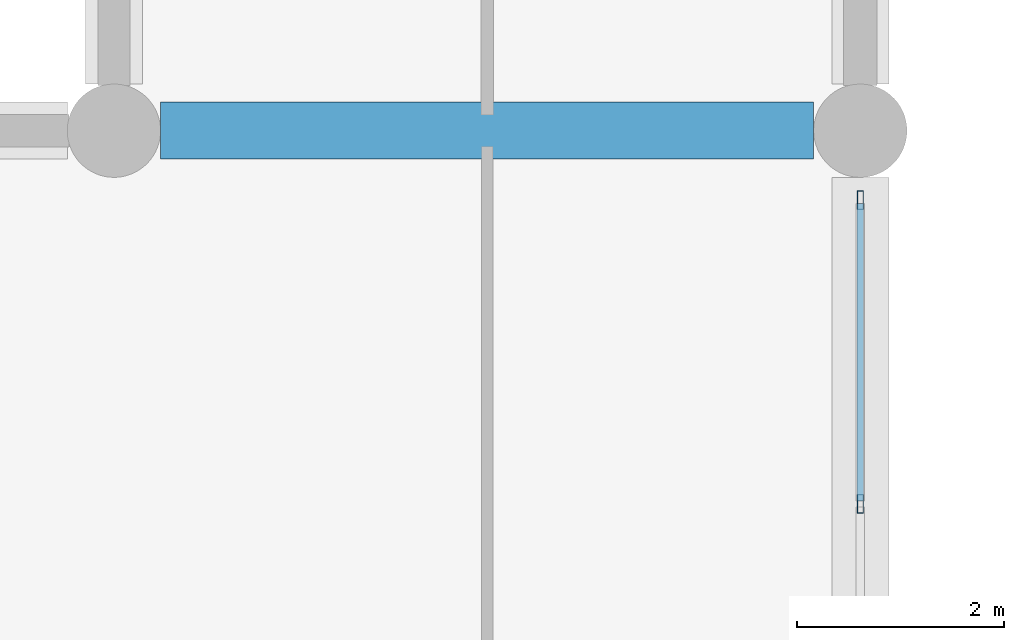
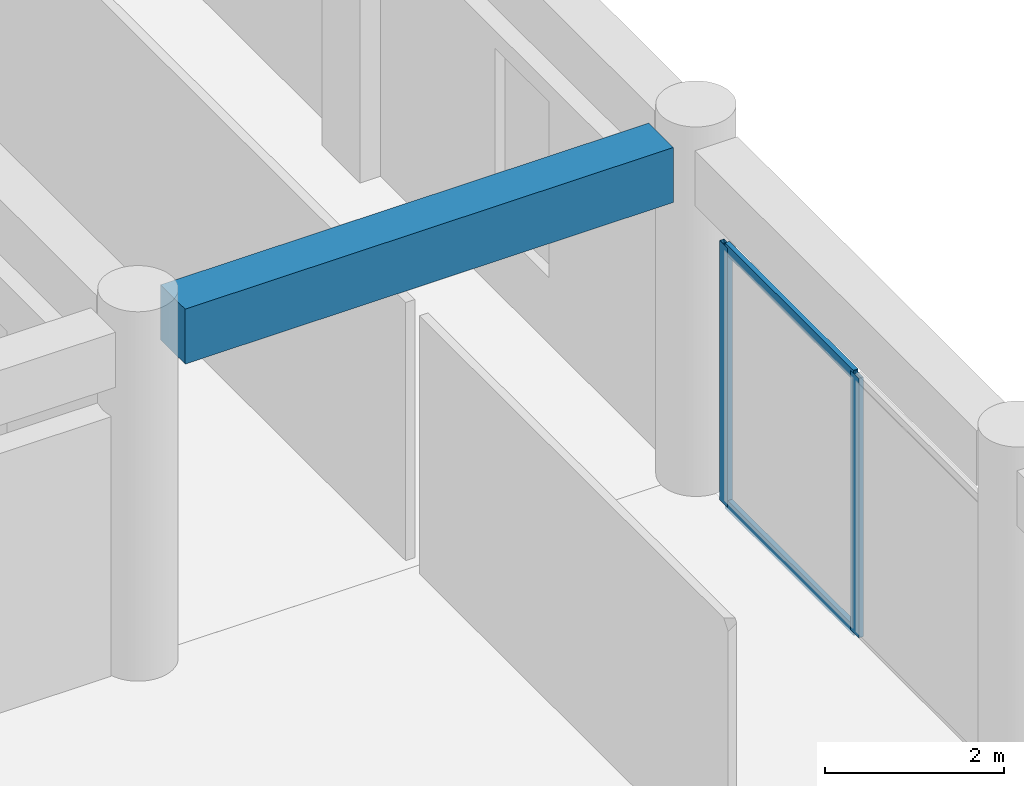
# One storey, part 25 of 54: 4 members, 1 beam, 1 element without a shape of its own.
"""IFC4 building model written with IfcOpenShell, lengths in metres."""

from ifc_helpers import new_model, si_unit, direction, frame, origin, origin_2d, place, context, subcontext, project, spatial, rectangle, hollow_rectangle, extrude, material, material_profile, profile_set, type_object, element, aggregate, save


model = new_model("IFC4")

# Units and contexts
model_context = context("Model", 3, precision=1e-05, world=origin(), true_north=direction((0.0, 1.0)))
body_context = subcontext(model_context, "Body", "Model", "MODEL_VIEW")
ifc_project = project(units=[si_unit("LENGTHUNIT", "METRE"), si_unit("AREAUNIT", "SQUARE_METRE"), si_unit("VOLUMEUNIT", "CUBIC_METRE"), si_unit("PLANEANGLEUNIT", "RADIAN"), si_unit("MASSUNIT", "GRAM", prefix="KILO")], contexts=[model_context])

# Site, building, storey
site_placement = place(None, origin())
site = spatial("IfcSite", under=ifc_project, at=site_placement, CompositionType="ELEMENT")
building_placement = place(site_placement, origin())
building = spatial("IfcBuilding", under=site, at=building_placement, Name="Kazehaya Institute of Natural Sciences", CompositionType="ELEMENT")
storey_placement = place(building_placement, frame((0.0, 0.0, 5.39990234375)))
storey = spatial("IfcBuildingStorey", under=building, at=storey_placement, Name="L01", CompositionType="ELEMENT", Elevation=5.39990234375)

# Beam
ifc_material_1 = material(Name="Concrete Fc36", Category="concrete")
ifc_material_profile_1 = material_profile(ifc_material_1, rectangle(XDim=0.550048828125, YDim=0.75, at=origin_2d()), Name="RC-550x750")
ifc_profile_set_1 = profile_set([ifc_material_profile_1], Name="Concrete Fc36")
beam_type = type_object("IfcBeamType", Name="BM-G-550x750", PredefinedType="BEAM", material=ifc_profile_set_1)
beam_placement = place(storey_placement, frame((105.449951171875, 64.39990234375, 4.39501953125), z_axis=(1.0, 0.0, 0.0), x_axis=(0.0, 1.0, 0.0)))
element("IfcBeam", 1, at=beam_placement, inside=storey, type_object=beam_type, Name="L01 primary X girder BMX-L01-1050-644", PredefinedType="BEAM", context=body_context, shape_type="SweptSolid", body=[
    extrude(rectangle(XDim=0.550048828125, YDim=0.75, at=origin_2d()), origin(), (0.0, 0.0, 1.0), 6.300048828125),
])

# Curtain wall, members
ifc_material_2 = material(Name="Aluminium alloy A6063S-T5", Category="aluminium")
curtain_wall_type = type_object("IfcCurtainWallType", Name="CW-SYS-02", PredefinedType="NOTDEFINED", material=ifc_material_2)
curtain_wall_placement = place(storey_placement, origin())
curtain_wall = element("IfcCurtainWall", 2, at=curtain_wall_placement, inside=storey, type_object=curtain_wall_type, Name="L01 unitised curtain wall CW-L01-022", PredefinedType="NOTDEFINED")
ifc_material_profile_2 = material_profile(ifc_material_2, hollow_rectangle(XDim=0.06005859375, YDim=0.179931640625, WallThickness=0.00390625, at=origin_2d()), Name="ALU-60x180x4")
ifc_profile_set_2 = profile_set([ifc_material_profile_2], Name="Aluminium alloy A6063S-T5")
member_type_1 = type_object("IfcMemberType", Name="CWM-180", PredefinedType="MULLION", material=ifc_profile_set_2)
member_1_placement = place(storey_placement, frame((112.199951171875, 63.72998046875, 0.0), z_axis=(0.0, 0.0, 1.0), x_axis=(1.0, 0.0, 0.0)))
member_1 = element("IfcMember", 3, at=member_1_placement, type_object=member_type_1, Name="CW02 mullion 1", PredefinedType="MULLION", context=body_context, shape_type="SweptSolid", body=[
    extrude(hollow_rectangle(XDim=0.06005859375, YDim=0.179931640625, WallThickness=0.00390625, at=origin_2d()), origin(), (0.0, 0.0, 1.0), 3.5400390625),
])
member_2_placement = place(storey_placement, frame((112.199951171875, 60.800048828125, 0.0), z_axis=(0.0, 0.0, 1.0), x_axis=(1.0, 0.0, 0.0)))
member_2 = element("IfcMember", 4, at=member_2_placement, type_object=member_type_1, Name="CW02 mullion 2", PredefinedType="MULLION", context=body_context, shape_type="SweptSolid", body=[
    extrude(hollow_rectangle(XDim=0.06005859375, YDim=0.179931640625, WallThickness=0.00390625, at=origin_2d()), origin(), (0.0, 0.0, 1.0), 3.5400390625),
])
ifc_material_profile_3 = material_profile(ifc_material_2, hollow_rectangle(XDim=0.06005859375, YDim=0.139892578125, WallThickness=0.00341796875, at=origin_2d()), Name="ALU-60x140x3.5")
ifc_profile_set_3 = profile_set([ifc_material_profile_3], Name="Aluminium alloy A6063S-T5")
member_type_2 = type_object("IfcMemberType", Name="CWT-140", PredefinedType="USERDEFINED", material=ifc_profile_set_3)
member_3_placement = place(storey_placement, frame((112.199951171875, 63.699951171875, 0.030029296875), z_axis=(0.0, -1.0, 0.0), x_axis=(1.0, 0.0, 0.0)))
member_3 = element("IfcMember", 5, at=member_3_placement, type_object=member_type_2, Name="CW02 transom 1.1", ObjectType="TRANSOM", PredefinedType="USERDEFINED", context=body_context, shape_type="SweptSolid", body=[
    extrude(hollow_rectangle(XDim=0.06005859375, YDim=0.139892578125, WallThickness=0.00341796875, at=origin_2d()), origin(), (0.0, 0.0, 1.0), 2.869873046875),
])
member_4_placement = place(storey_placement, frame((112.199951171875, 63.699951171875, 3.510009765625), z_axis=(0.0, -1.0, 0.0), x_axis=(1.0, 0.0, 0.0)))
member_4 = element("IfcMember", 6, at=member_4_placement, type_object=member_type_2, Name="CW02 transom 1.2", ObjectType="TRANSOM", PredefinedType="USERDEFINED", context=body_context, shape_type="SweptSolid", body=[
    extrude(hollow_rectangle(XDim=0.06005859375, YDim=0.139892578125, WallThickness=0.00341796875, at=origin_2d()), origin(), (0.0, 0.0, 1.0), 2.869873046875),
])
aggregate(curtain_wall, [member_1, member_2, member_3, member_4])

save(model, "model.ifc")
